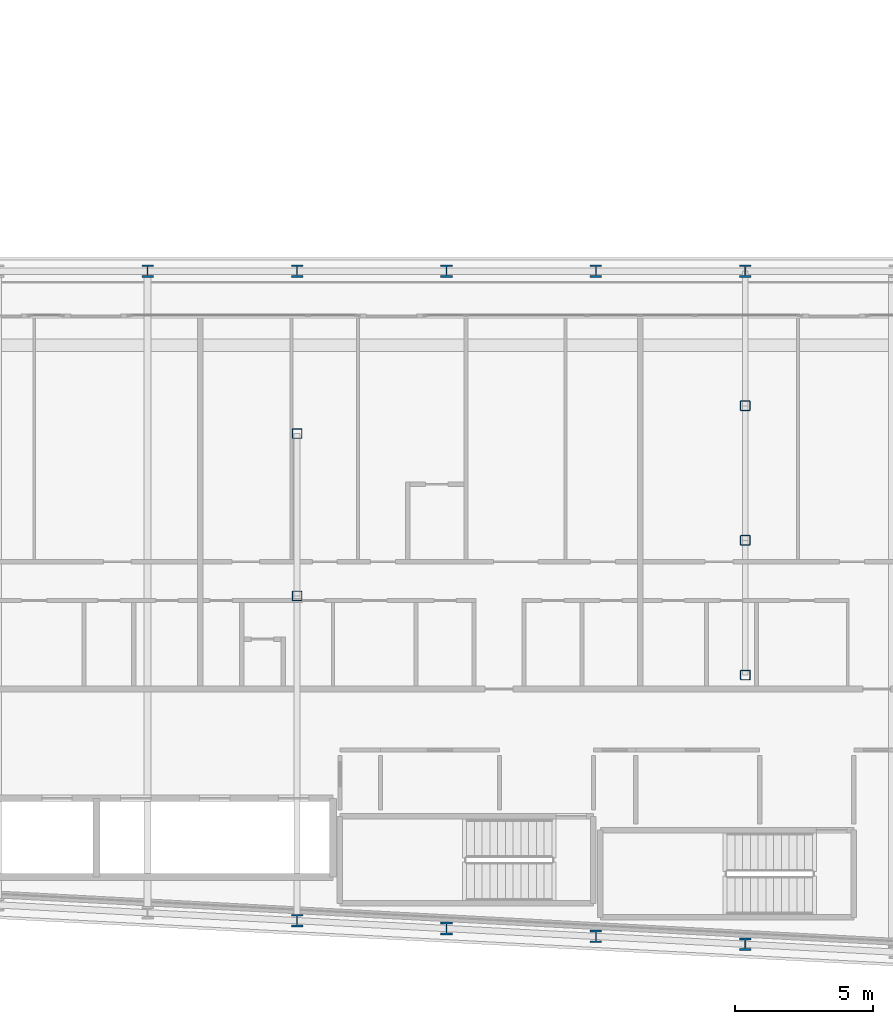
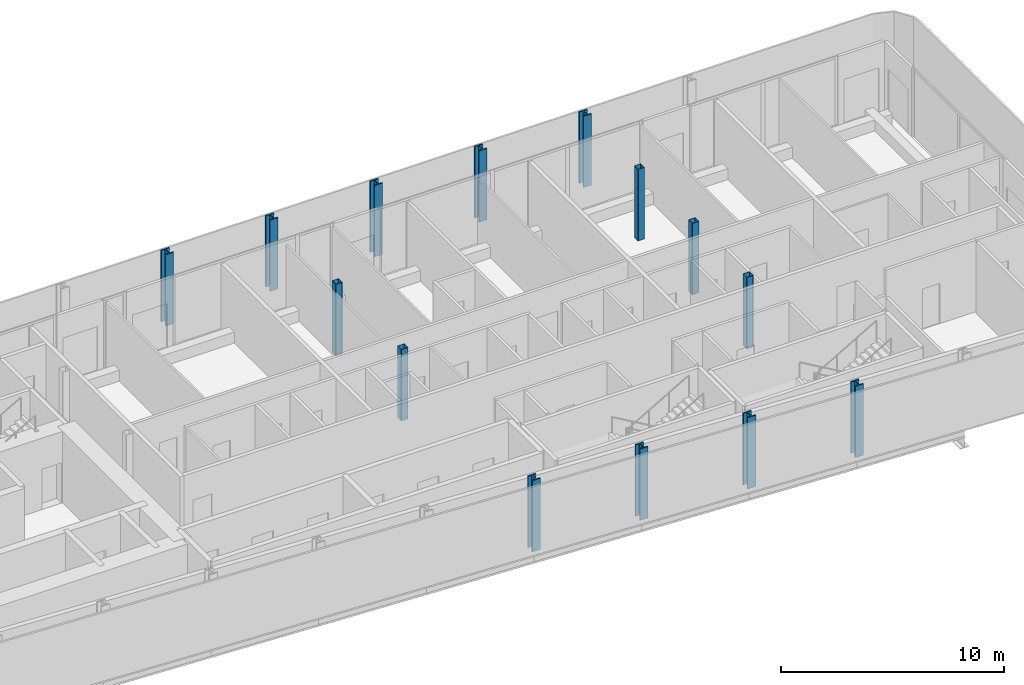
# One storey, part 2 of 28: 14 columns.
"""IFC4 building model written with IfcOpenShell, lengths in metres."""

from ifc_helpers import new_model, si_unit, direction, frame, origin, origin_2d, place, context, subcontext, project, spatial, hollow_rectangle, i_section, extrude, material, material_profile, profile_set, type_object, element, save


model = new_model("IFC4")

# Units and contexts
model_context = context("Model", 3, precision=1e-05, world=origin(), true_north=direction((0.0, 1.0)))
body_context = subcontext(model_context, "Body", "Model", "MODEL_VIEW")
ifc_project = project(units=[si_unit("LENGTHUNIT", "METRE"), si_unit("AREAUNIT", "SQUARE_METRE"), si_unit("VOLUMEUNIT", "CUBIC_METRE"), si_unit("PLANEANGLEUNIT", "RADIAN"), si_unit("MASSUNIT", "GRAM", prefix="KILO")], contexts=[model_context])

# Site, building, storey
site_placement = place(None, origin())
site = spatial("IfcSite", under=ifc_project, at=site_placement, CompositionType="ELEMENT")
building_placement = place(site_placement, origin())
building = spatial("IfcBuilding", under=site, at=building_placement, Name="Kheshtan School and Residences Tower", CompositionType="ELEMENT")
storey_placement = place(building_placement, frame((0.0, 0.0, 129.199951171875)))
storey = spatial("IfcBuildingStorey", under=building, at=storey_placement, Name="L30", CompositionType="ELEMENT", Elevation=129.199951171875)

# Columns
ifc_material_1 = material(Name="Steel ASTM A992 Grade 50", Category="steel")
ifc_material_profile_1 = material_profile(ifc_material_1, i_section(OverallWidth=0.41796875, OverallDepth=0.455078125, WebThickness=0.042236328125, FlangeThickness=0.067626953125, FilletRadius=0.013671875, at=origin_2d()), Name="W360x551")
ifc_profile_set_1 = profile_set([ifc_material_profile_1], Name="Steel ASTM A992 Grade 50")
column_type_1 = type_object("IfcColumnType", Name="Column C2 W360x551 ASTM A992 Grade 50", PredefinedType="COLUMN", material=ifc_profile_set_1)
for number, where, z_axis, x_axis, name in (
    (1, (85.39990234375, 21.27392578125, 0.0), (0.0, 0.0, 1.0), (1.0, 0.0, 0.0), "Column C008"),
    (2, (80.0, 21.55810546875, 0.0), (0.0, 0.0, 1.0), (1.0, 0.0, 0.0), "Column C012"),
    (3, (74.60009765625, 21.843017578125, 0.0), (0.0, 0.0, 1.0), (1.0, 0.0, 0.0), "Column C013"),
    (4, (69.199951171875, 22.126953125, 0.0), (0.0, 0.0, 1.0), (1.0, 0.0, 0.0), "Column C014"),
    (5, (63.800048828125, 45.60009765625, 0.0), (0.0, 0.0, 1.0), (1.0, 0.0, 0.0), "Column C063"),
    (6, (69.199951171875, 45.60009765625, 0.0), (0.0, 0.0, 1.0), (1.0, 0.0, 0.0), "Column C064"),
    (7, (74.60009765625, 45.60009765625, 0.0), (0.0, 0.0, 1.0), (1.0, 0.0, 0.0), "Column C065"),
    (8, (80.0, 45.60009765625, 0.0), (0.0, 0.0, 1.0), (1.0, 0.0, 0.0), "Column C066"),
    (9, (85.39990234375, 45.60009765625, 0.0), (0.0, 0.0, 1.0), (1.0, 0.0, 0.0), "Column C067"),
):
    element("IfcColumn", number, at=place(storey_placement, frame(where, z_axis=z_axis, x_axis=x_axis)), inside=storey, type_object=column_type_1, Name=name, PredefinedType="COLUMN", context=body_context, shape_type="SweptSolid", body=[
        extrude(i_section(OverallWidth=0.41796875, OverallDepth=0.455078125, WebThickness=0.042236328125, FlangeThickness=0.067626953125, FilletRadius=0.013671875, at=origin_2d()), origin(), (0.0, 0.0, 1.0), 3.900146484375),
    ])
ifc_material_2 = material(Name="Steel ASTM A500 Grade C", Category="steel")
ifc_material_profile_2 = material_profile(ifc_material_2, hollow_rectangle(XDim=0.35595703125, YDim=0.35595703125, WallThickness=0.015869140625, InnerFilletRadius=0.015869140625, OuterFilletRadius=0.03173828125, at=origin_2d()), Name="HSS 356x356x15.9")
ifc_profile_set_2 = profile_set([ifc_material_profile_2], Name="Steel ASTM A500 Grade C")
column_type_2 = type_object("IfcColumnType", Name="Column IC1 HSS 356x356x15.9 ASTM A500 Grade C", PredefinedType="COLUMN", material=ifc_profile_set_2)
for number, where, z_axis, x_axis, name in (
    (10, (85.39990234375, 31.0048828125, 0.0), (0.0, 0.0, 1.0), (1.0, 0.0, 0.0), "Column C049"),
    (11, (69.199951171875, 33.863037109375, 0.0), (0.0, 0.0, 1.0), (1.0, 0.0, 0.0), "Column C050"),
    (12, (85.39990234375, 35.8701171875, 0.0), (0.0, 0.0, 1.0), (1.0, 0.0, 0.0), "Column C053"),
    (13, (69.199951171875, 39.73193359375, 0.0), (0.0, 0.0, 1.0), (1.0, 0.0, 0.0), "Column C054"),
    (14, (85.39990234375, 40.735107421875, 0.0), (0.0, 0.0, 1.0), (1.0, 0.0, 0.0), "Column C057"),
):
    element("IfcColumn", number, at=place(storey_placement, frame(where, z_axis=z_axis, x_axis=x_axis)), inside=storey, type_object=column_type_2, Name=name, PredefinedType="COLUMN", context=body_context, shape_type="SweptSolid", body=[
        extrude(hollow_rectangle(XDim=0.35595703125, YDim=0.35595703125, WallThickness=0.015869140625, InnerFilletRadius=0.015869140625, OuterFilletRadius=0.03173828125, at=origin_2d()), origin(), (0.0, 0.0, 1.0), 3.900146484375),
    ])

save(model, "model.ifc")
